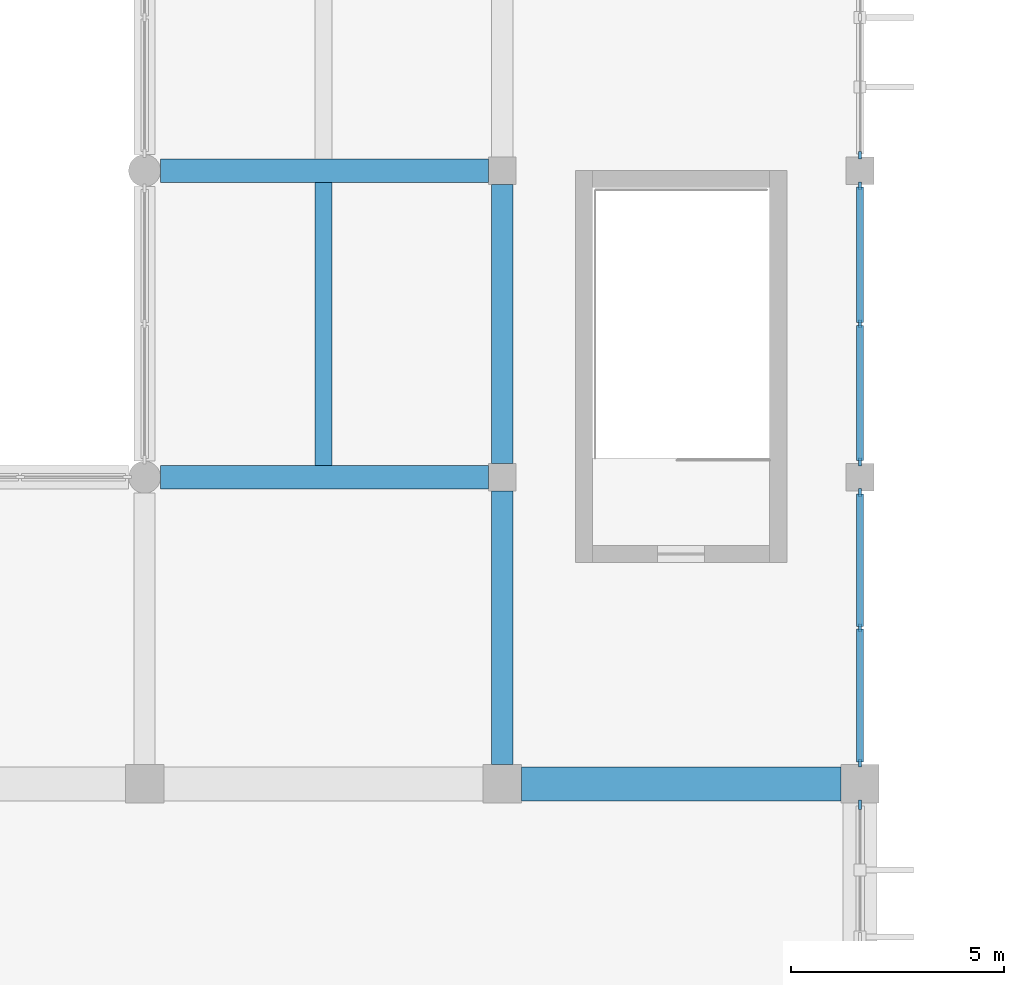
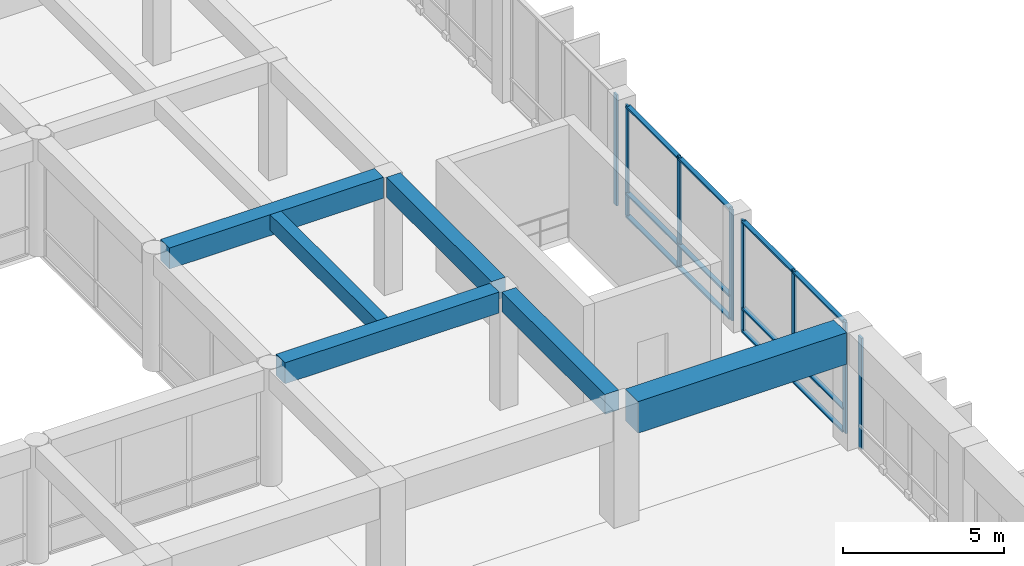
# One storey, part 13 of 40: 20 members, 6 beams, 4 elements without a shape of their own.
"""IFC4 building model written with IfcOpenShell, lengths in metres."""

from ifc_helpers import new_model, si_unit, direction, frame, origin, origin_2d, place, context, subcontext, project, spatial, rectangle, extrude, material, material_profile, profile_set, type_object, element, aggregate, save


model = new_model("IFC4")

# Units and contexts
model_context = context("Model", 3, precision=1e-05, world=origin(), true_north=direction((0.0, 1.0)))
body_context = subcontext(model_context, "Body", "Model", "MODEL_VIEW")
ifc_project = project(units=[si_unit("LENGTHUNIT", "METRE"), si_unit("AREAUNIT", "SQUARE_METRE"), si_unit("VOLUMEUNIT", "CUBIC_METRE"), si_unit("PLANEANGLEUNIT", "RADIAN"), si_unit("MASSUNIT", "GRAM", prefix="KILO")], contexts=[model_context])

# Site, building, storey
site_placement = place(None, origin())
site = spatial("IfcSite", under=ifc_project, at=site_placement, CompositionType="ELEMENT")
building_placement = place(site_placement, origin())
building = spatial("IfcBuilding", under=site, at=building_placement, Name="Kenerak Square Central Library", CompositionType="ELEMENT")
storey_placement = place(building_placement, frame((0.0, 0.0, 14.39990234375)))
storey = spatial("IfcBuildingStorey", under=building, at=storey_placement, Name="L03", CompositionType="ELEMENT", Elevation=14.39990234375)

# Curtain wall, member
ifc_material_1 = material(Name="Anodised aluminium and solar-control low-E glazing", Category="aluminium")
curtain_wall_type_1 = type_object("IfcCurtainWallType", Name="Curtain Wall CW-V4-65x42 6550x4230", PredefinedType="USERDEFINED", material=ifc_material_1)
curtain_wall_1_placement = place(storey_placement, origin())
curtain_wall_1 = element("IfcCurtainWall", 1, at=curtain_wall_1_placement, inside=storey, type_object=curtain_wall_type_1, Name="Curtain Wall CW-V4-65x42 L03 0118", ObjectType="CURTAIN WALL", PredefinedType="USERDEFINED")
ifc_material_2 = material(Name="Anodised aluminium 6063-T6", Category="aluminium")
ifc_material_profile_1 = material_profile(ifc_material_2, rectangle(XDim=0.06494140625, YDim=0.179931640625, at=origin_2d()), Name="AL MULLION 65x180")
ifc_profile_set_1 = profile_set([ifc_material_profile_1], Name="Anodised aluminium 6063-T6")
member_type_1 = type_object("IfcMemberType", Name="Curtain Mullion CM-01 65x180", PredefinedType="MULLION", material=ifc_profile_set_1)
member_1_placement = place(storey_placement, frame((117.199951171875, 67.5576171875, 0.0), z_axis=(0.0, 0.0, 1.0), x_axis=(1.0, 0.0, 0.0)))
member_1 = element("IfcMember", 2, at=member_1_placement, type_object=member_type_1, Name="CW-V4-65x42 Mullion 3", PredefinedType="MULLION", context=body_context, shape_type="SweptSolid", body=[
    extrude(rectangle(XDim=0.06494140625, YDim=0.179931640625, at=origin_2d()), origin(), (0.0, 0.0, 1.0), 4.22998046875),
])
aggregate(curtain_wall_1, [member_1])

# Curtain wall, members
curtain_wall_2_placement = place(storey_placement, origin())
curtain_wall_2 = element("IfcCurtainWall", 3, at=curtain_wall_2_placement, inside=storey, type_object=curtain_wall_type_1, Name="Curtain Wall CW-V4-65x42 L03 0119", ObjectType="CURTAIN WALL", PredefinedType="USERDEFINED")
member_2_placement = place(storey_placement, frame((117.199951171875, 66.842529296875, 0.0), z_axis=(0.0, 0.0, 1.0), x_axis=(1.0, 0.0, 0.0)))
member_2 = element("IfcMember", 4, at=member_2_placement, type_object=member_type_1, Name="CW-V4-65x42 Mullion 1", PredefinedType="MULLION", context=body_context, shape_type="SweptSolid", body=[
    extrude(rectangle(XDim=0.06494140625, YDim=0.179931640625, at=origin_2d()), origin(), (0.0, 0.0, 1.0), 4.22998046875),
])
member_3_placement = place(storey_placement, frame((117.199951171875, 63.60009765625, 0.0), z_axis=(0.0, 0.0, 1.0), x_axis=(1.0, 0.0, 0.0)))
member_3 = element("IfcMember", 5, at=member_3_placement, type_object=member_type_1, Name="CW-V4-65x42 Mullion 2", PredefinedType="MULLION", context=body_context, shape_type="SweptSolid", body=[
    extrude(rectangle(XDim=0.06494140625, YDim=0.179931640625, at=origin_2d()), origin(), (0.0, 0.0, 1.0), 4.22998046875),
])
member_4_placement = place(storey_placement, frame((117.199951171875, 60.357421875, 0.0), z_axis=(0.0, 0.0, 1.0), x_axis=(1.0, 0.0, 0.0)))
member_4 = element("IfcMember", 6, at=member_4_placement, type_object=member_type_1, Name="CW-V4-65x42 Mullion 3", PredefinedType="MULLION", context=body_context, shape_type="SweptSolid", body=[
    extrude(rectangle(XDim=0.06494140625, YDim=0.179931640625, at=origin_2d()), origin(), (0.0, 0.0, 1.0), 4.22998046875),
])

curtain_wall_type_2 = type_object("IfcCurtainWallType", Name="Curtain Wall CW-V4-64x42 6425x4230", PredefinedType="USERDEFINED", material=ifc_material_1)
curtain_wall_3_placement = place(storey_placement, origin())
curtain_wall_3 = element("IfcCurtainWall", 7, at=curtain_wall_3_placement, inside=storey, type_object=curtain_wall_type_2, Name="Curtain Wall CW-V4-64x42 L03 0120", ObjectType="CURTAIN WALL", PredefinedType="USERDEFINED")
member_5_placement = place(storey_placement, frame((117.199951171875, 59.642578125, 0.0), z_axis=(0.0, 0.0, 1.0), x_axis=(1.0, 0.0, 0.0)))
member_5 = element("IfcMember", 8, at=member_5_placement, type_object=member_type_1, Name="CW-V4-64x42 Mullion 1", PredefinedType="MULLION", context=body_context, shape_type="SweptSolid", body=[
    extrude(rectangle(XDim=0.06494140625, YDim=0.179931640625, at=origin_2d()), origin(), (0.0, 0.0, 1.0), 4.22998046875),
])
member_6_placement = place(storey_placement, frame((117.199951171875, 56.46240234375, 0.0), z_axis=(0.0, 0.0, 1.0), x_axis=(1.0, 0.0, 0.0)))
member_6 = element("IfcMember", 9, at=member_6_placement, type_object=member_type_1, Name="CW-V4-64x42 Mullion 2", PredefinedType="MULLION", context=body_context, shape_type="SweptSolid", body=[
    extrude(rectangle(XDim=0.06494140625, YDim=0.179931640625, at=origin_2d()), origin(), (0.0, 0.0, 1.0), 4.22998046875),
])
member_7_placement = place(storey_placement, frame((117.199951171875, 53.282470703125, 0.0), z_axis=(0.0, 0.0, 1.0), x_axis=(1.0, 0.0, 0.0)))
member_7 = element("IfcMember", 10, at=member_7_placement, type_object=member_type_1, Name="CW-V4-64x42 Mullion 3", PredefinedType="MULLION", context=body_context, shape_type="SweptSolid", body=[
    extrude(rectangle(XDim=0.06494140625, YDim=0.179931640625, at=origin_2d()), origin(), (0.0, 0.0, 1.0), 4.22998046875),
])

# Curtain wall, member
curtain_wall_type_3 = type_object("IfcCurtainWallType", Name="Curtain Wall CW-V1-63x42 6300x4230", PredefinedType="USERDEFINED", material=ifc_material_1)
curtain_wall_4_placement = place(storey_placement, origin())
curtain_wall_4 = element("IfcCurtainWall", 11, at=curtain_wall_4_placement, inside=storey, type_object=curtain_wall_type_3, Name="Curtain Wall CW-V1-63x42 L03 0121", ObjectType="CURTAIN WALL", PredefinedType="USERDEFINED")
ifc_material_profile_2 = material_profile(ifc_material_2, rectangle(XDim=0.074951171875, YDim=0.219970703125, at=origin_2d()), Name="AL MULLION 75x220")
ifc_profile_set_2 = profile_set([ifc_material_profile_2], Name="Anodised aluminium 6063-T6")
member_type_2 = type_object("IfcMemberType", Name="Curtain Mullion CM-02 75x220", PredefinedType="MULLION", material=ifc_profile_set_2)
member_8_placement = place(storey_placement, frame((117.199951171875, 52.3125, 0.0), z_axis=(0.0, 0.0, 1.0), x_axis=(1.0, 0.0, 0.0)))
member_8 = element("IfcMember", 12, at=member_8_placement, type_object=member_type_2, Name="CW-V1-63x42 Mullion 1", PredefinedType="MULLION", context=body_context, shape_type="SweptSolid", body=[
    extrude(rectangle(XDim=0.074951171875, YDim=0.219970703125, at=origin_2d()), origin(), (0.0, 0.0, 1.0), 4.22998046875),
])
aggregate(curtain_wall_4, [member_8])

# Member
ifc_material_profile_3 = material_profile(ifc_material_2, rectangle(XDim=0.159912109375, YDim=0.06494140625, at=origin_2d()), Name="AL TRANSOM 160x65")
ifc_profile_set_3 = profile_set([ifc_material_profile_3], Name="Anodised aluminium 6063-T6")
member_type_3 = type_object("IfcMemberType", Name="Curtain Transom CT-11 160x65", PredefinedType="USERDEFINED", material=ifc_profile_set_3)
member_9_placement = place(storey_placement, frame((117.199951171875, 66.81005859375, 0.03271484375), z_axis=(0.0, -1.0, 0.0), x_axis=(1.0, 0.0, 0.0)))
member_9 = element("IfcMember", 13, at=member_9_placement, type_object=member_type_3, Name="CW-V4-65x42 Transom 1.1", ObjectType="TRANSOM", PredefinedType="USERDEFINED", context=body_context, shape_type="SweptSolid", body=[
    extrude(rectangle(XDim=0.159912109375, YDim=0.06494140625, at=origin_2d()), origin(), (0.0, 0.0, 1.0), 3.177490234375),
])

member_10_placement = place(storey_placement, frame((117.199951171875, 66.81005859375, 0.900146484375), z_axis=(0.0, -1.0, 0.0), x_axis=(1.0, 0.0, 0.0)))
member_10 = element("IfcMember", 14, at=member_10_placement, type_object=member_type_3, Name="CW-V4-65x42 Transom 1.2", ObjectType="TRANSOM", PredefinedType="USERDEFINED", context=body_context, shape_type="SweptSolid", body=[
    extrude(rectangle(XDim=0.159912109375, YDim=0.06494140625, at=origin_2d()), origin(), (0.0, 0.0, 1.0), 3.177490234375),
])

member_11_placement = place(storey_placement, frame((117.199951171875, 66.81005859375, 4.197509765625), z_axis=(0.0, -1.0, 0.0), x_axis=(1.0, 0.0, 0.0)))
member_11 = element("IfcMember", 15, at=member_11_placement, type_object=member_type_3, Name="CW-V4-65x42 Transom 1.3", ObjectType="TRANSOM", PredefinedType="USERDEFINED", context=body_context, shape_type="SweptSolid", body=[
    extrude(rectangle(XDim=0.159912109375, YDim=0.06494140625, at=origin_2d()), origin(), (0.0, 0.0, 1.0), 3.177490234375),
])

member_12_placement = place(storey_placement, frame((117.199951171875, 63.5673828125, 0.03271484375), z_axis=(0.0, -1.0, 0.0), x_axis=(1.0, 0.0, 0.0)))
member_12 = element("IfcMember", 16, at=member_12_placement, type_object=member_type_3, Name="CW-V4-65x42 Transom 2.1", ObjectType="TRANSOM", PredefinedType="USERDEFINED", context=body_context, shape_type="SweptSolid", body=[
    extrude(rectangle(XDim=0.159912109375, YDim=0.06494140625, at=origin_2d()), origin(), (0.0, 0.0, 1.0), 3.177490234375),
])

member_13_placement = place(storey_placement, frame((117.199951171875, 63.5673828125, 0.900146484375), z_axis=(0.0, -1.0, 0.0), x_axis=(1.0, 0.0, 0.0)))
member_13 = element("IfcMember", 17, at=member_13_placement, type_object=member_type_3, Name="CW-V4-65x42 Transom 2.2", ObjectType="TRANSOM", PredefinedType="USERDEFINED", context=body_context, shape_type="SweptSolid", body=[
    extrude(rectangle(XDim=0.159912109375, YDim=0.06494140625, at=origin_2d()), origin(), (0.0, 0.0, 1.0), 3.177490234375),
])

member_14_placement = place(storey_placement, frame((117.199951171875, 63.5673828125, 4.197509765625), z_axis=(0.0, -1.0, 0.0), x_axis=(1.0, 0.0, 0.0)))
member_14 = element("IfcMember", 18, at=member_14_placement, type_object=member_type_3, Name="CW-V4-65x42 Transom 2.3", ObjectType="TRANSOM", PredefinedType="USERDEFINED", context=body_context, shape_type="SweptSolid", body=[
    extrude(rectangle(XDim=0.159912109375, YDim=0.06494140625, at=origin_2d()), origin(), (0.0, 0.0, 1.0), 3.177490234375),
])

aggregate(curtain_wall_2, [member_2, member_3, member_4, member_9, member_10, member_11, member_12, member_13, member_14])

member_15_placement = place(storey_placement, frame((117.199951171875, 59.610107421875, 0.03271484375), z_axis=(0.0, -1.0, 0.0), x_axis=(1.0, 0.0, 0.0)))
member_15 = element("IfcMember", 19, at=member_15_placement, type_object=member_type_3, Name="CW-V4-64x42 Transom 1.1", ObjectType="TRANSOM", PredefinedType="USERDEFINED", context=body_context, shape_type="SweptSolid", body=[
    extrude(rectangle(XDim=0.159912109375, YDim=0.06494140625, at=origin_2d()), origin(), (0.0, 0.0, 1.0), 3.114990234375),
])

member_16_placement = place(storey_placement, frame((117.199951171875, 59.610107421875, 0.900146484375), z_axis=(0.0, -1.0, 0.0), x_axis=(1.0, 0.0, 0.0)))
member_16 = element("IfcMember", 20, at=member_16_placement, type_object=member_type_3, Name="CW-V4-64x42 Transom 1.2", ObjectType="TRANSOM", PredefinedType="USERDEFINED", context=body_context, shape_type="SweptSolid", body=[
    extrude(rectangle(XDim=0.159912109375, YDim=0.06494140625, at=origin_2d()), origin(), (0.0, 0.0, 1.0), 3.114990234375),
])

member_17_placement = place(storey_placement, frame((117.199951171875, 59.610107421875, 4.197509765625), z_axis=(0.0, -1.0, 0.0), x_axis=(1.0, 0.0, 0.0)))
member_17 = element("IfcMember", 21, at=member_17_placement, type_object=member_type_3, Name="CW-V4-64x42 Transom 1.3", ObjectType="TRANSOM", PredefinedType="USERDEFINED", context=body_context, shape_type="SweptSolid", body=[
    extrude(rectangle(XDim=0.159912109375, YDim=0.06494140625, at=origin_2d()), origin(), (0.0, 0.0, 1.0), 3.114990234375),
])

member_18_placement = place(storey_placement, frame((117.199951171875, 56.429931640625, 0.03271484375), z_axis=(0.0, -1.0, 0.0), x_axis=(1.0, 0.0, 0.0)))
member_18 = element("IfcMember", 22, at=member_18_placement, type_object=member_type_3, Name="CW-V4-64x42 Transom 2.1", ObjectType="TRANSOM", PredefinedType="USERDEFINED", context=body_context, shape_type="SweptSolid", body=[
    extrude(rectangle(XDim=0.159912109375, YDim=0.06494140625, at=origin_2d()), origin(), (0.0, 0.0, 1.0), 3.114990234375),
])

member_19_placement = place(storey_placement, frame((117.199951171875, 56.429931640625, 0.900146484375), z_axis=(0.0, -1.0, 0.0), x_axis=(1.0, 0.0, 0.0)))
member_19 = element("IfcMember", 23, at=member_19_placement, type_object=member_type_3, Name="CW-V4-64x42 Transom 2.2", ObjectType="TRANSOM", PredefinedType="USERDEFINED", context=body_context, shape_type="SweptSolid", body=[
    extrude(rectangle(XDim=0.159912109375, YDim=0.06494140625, at=origin_2d()), origin(), (0.0, 0.0, 1.0), 3.114990234375),
])

member_20_placement = place(storey_placement, frame((117.199951171875, 56.429931640625, 4.197509765625), z_axis=(0.0, -1.0, 0.0), x_axis=(1.0, 0.0, 0.0)))
member_20 = element("IfcMember", 24, at=member_20_placement, type_object=member_type_3, Name="CW-V4-64x42 Transom 2.3", ObjectType="TRANSOM", PredefinedType="USERDEFINED", context=body_context, shape_type="SweptSolid", body=[
    extrude(rectangle(XDim=0.159912109375, YDim=0.06494140625, at=origin_2d()), origin(), (0.0, 0.0, 1.0), 3.114990234375),
])

aggregate(curtain_wall_3, [member_5, member_6, member_7, member_15, member_16, member_17, member_18, member_19, member_20])

# Beams
ifc_material_3 = material(Name="Concrete C45/55", Category="concrete")
ifc_material_profile_4 = material_profile(ifc_material_3, rectangle(XDim=0.800048828125, YDim=1.199951171875, at=origin_2d()), Name="RC 800x1200")
ifc_profile_set_4 = profile_set([ifc_material_profile_4], Name="Concrete C45/55")
beam_type_1 = type_object("IfcBeamType", Name="Gridshell Ring Beam RB-01 RC 800x1200 C45/55", PredefinedType="BEAM", material=ifc_profile_set_4)
beam_1_placement = place(storey_placement, frame((109.25, 52.800048828125, 3.880126953125), z_axis=(1.0, 0.0, 0.0), x_axis=(0.0, 1.0, 0.0)))
element("IfcBeam", 25, at=beam_1_placement, inside=storey, type_object=beam_type_1, Name="Gridshell Ring Beam RB-01 14", PredefinedType="BEAM", context=body_context, shape_type="SweptSolid", body=[
    extrude(rectangle(XDim=0.800048828125, YDim=1.199951171875, at=origin_2d()), origin(), (0.0, 0.0, 1.0), 7.5),
])
ifc_material_4 = material(Name="Concrete C40/50", Category="concrete")
ifc_material_profile_5 = material_profile(ifc_material_4, rectangle(XDim=0.550048828125, YDim=0.800048828125, at=origin_2d()), Name="RC 550x800")
ifc_profile_set_5 = profile_set([ifc_material_profile_5], Name="Concrete C40/50")
beam_type_2 = type_object("IfcBeamType", Name="Primary Reading Beam B-04 RC 550x800 C40/50", PredefinedType="BEAM", material=ifc_profile_set_5)
for number, where, z_axis, x_axis, name in (
    (26, (100.77490234375, 60.0, 4.080078125), (1.0, 0.0, 0.0), (0.0, 1.0, 0.0), "Beam B-04 L03 1425"),
    (27, (100.77490234375, 67.199951171875, 4.080078125), (1.0, 0.0, 0.0), (0.0, 1.0, 0.0), "Beam B-04 L03 1426"),
):
    element("IfcBeam", number, at=place(storey_placement, frame(where, z_axis=z_axis, x_axis=x_axis)), inside=storey, type_object=beam_type_2, Name=name, PredefinedType="BEAM", context=body_context, shape_type="SweptSolid", body=[
        extrude(rectangle(XDim=0.550048828125, YDim=0.800048828125, at=origin_2d()), origin(), (0.0, 0.0, 1.0), 7.7001953125),
    ])
ifc_material_profile_6 = material_profile(ifc_material_4, rectangle(XDim=0.39990234375, YDim=0.60009765625, at=origin_2d()), Name="RC 400x600")
ifc_profile_set_6 = profile_set([ifc_material_profile_6], Name="Concrete C40/50")
beam_type_3 = type_object("IfcBeamType", Name="Secondary Floor Joist J-01 RC 400x600 C40/50", PredefinedType="JOIST", material=ifc_profile_set_6)
beam_2_placement = place(storey_placement, frame((104.60009765625, 60.27490234375, 4.18017578125), z_axis=(0.0, 1.0, 0.0), x_axis=(-1.0, 0.0, 0.0)))
element("IfcBeam", 28, at=beam_2_placement, inside=storey, type_object=beam_type_3, Name="Joist J-01 L03 1524", PredefinedType="JOIST", context=body_context, shape_type="SweptSolid", body=[
    extrude(rectangle(XDim=0.39990234375, YDim=0.60009765625, at=origin_2d()), origin(), (0.0, 0.0, 1.0), 6.650146484375),
])
ifc_material_profile_7 = material_profile(ifc_material_4, rectangle(XDim=0.5, YDim=0.75, at=origin_2d()), Name="RC 500x750")
ifc_profile_set_7 = profile_set([ifc_material_profile_7], Name="Concrete C40/50")
beam_type_4 = type_object("IfcBeamType", Name="Transverse Frame Beam B-05 RC 500x750 C40/50", PredefinedType="BEAM", material=ifc_profile_set_7)
beam_3_placement = place(storey_placement, frame((108.800048828125, 53.25, 4.10498046875), z_axis=(0.0, 1.0, 0.0), x_axis=(-1.0, 0.0, 0.0)))
element("IfcBeam", 29, at=beam_3_placement, inside=storey, type_object=beam_type_4, Name="Beam B-05 L03 1495", PredefinedType="BEAM", context=body_context, shape_type="SweptSolid", body=[
    extrude(rectangle(XDim=0.5, YDim=0.75, at=origin_2d()), origin(), (0.0, 0.0, 1.0), 6.425048828125),
])
beam_4_placement = place(storey_placement, frame((108.800048828125, 60.324951171875, 4.10498046875), z_axis=(0.0, 1.0, 0.0), x_axis=(-1.0, 0.0, 0.0)))
element("IfcBeam", 30, at=beam_4_placement, inside=storey, type_object=beam_type_4, Name="Beam B-05 L03 1496", PredefinedType="BEAM", context=body_context, shape_type="SweptSolid", body=[
    extrude(rectangle(XDim=0.5, YDim=0.75, at=origin_2d()), origin(), (0.0, 0.0, 1.0), 6.550048828125),
])

save(model, "model.ifc")
